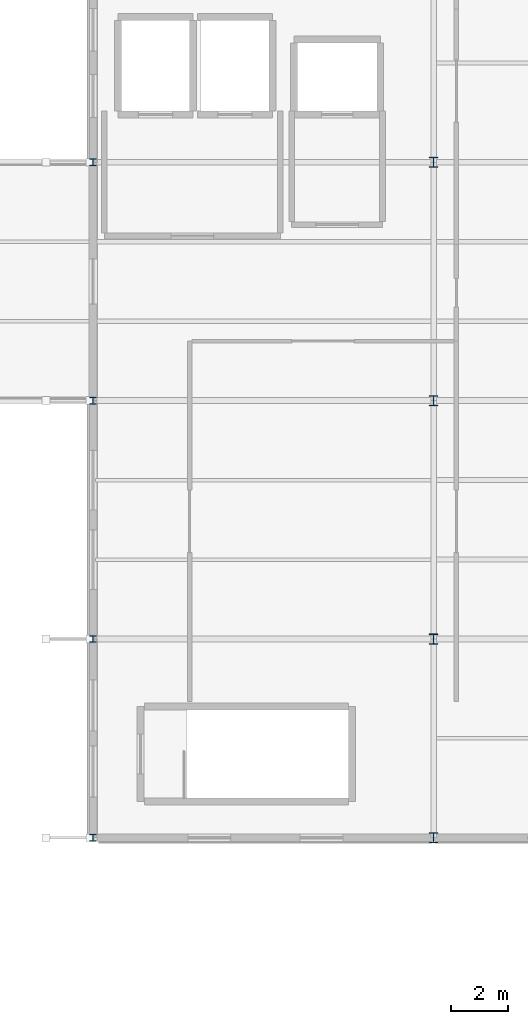
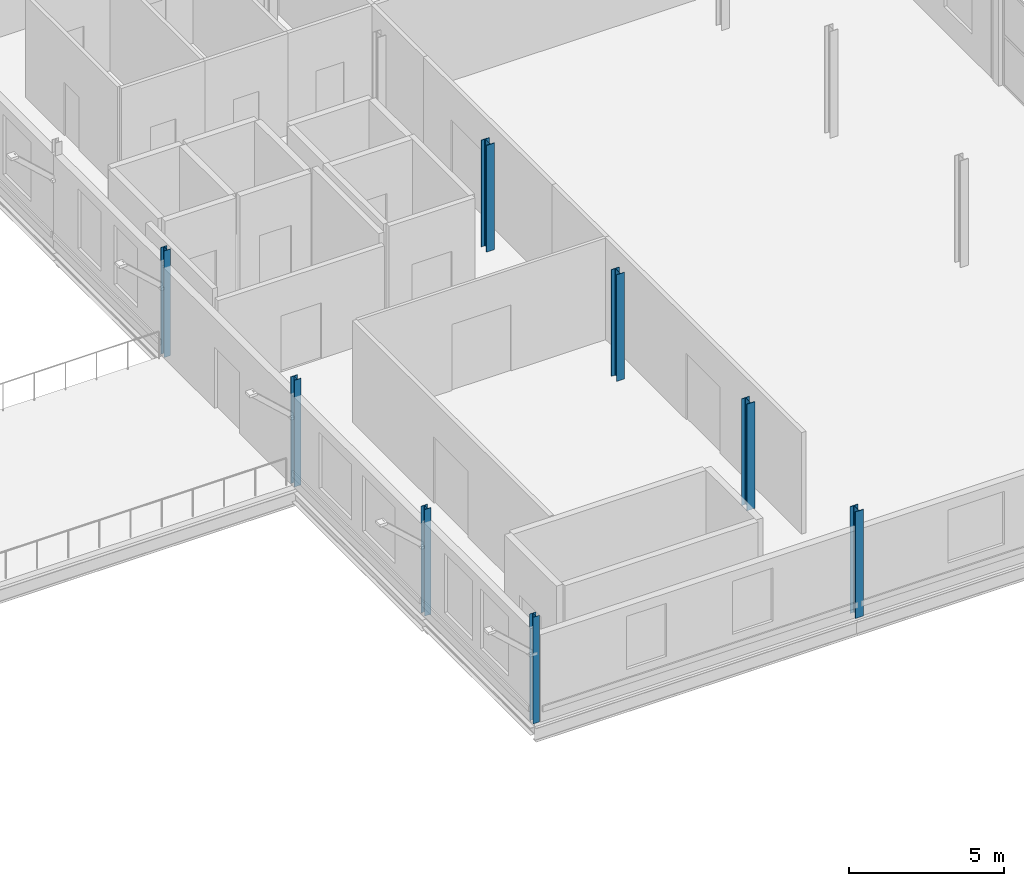
# One storey, part 5 of 25: 8 columns.
"""IFC4 building model written with IfcOpenShell, lengths in metres."""

from ifc_helpers import new_model, si_unit, direction, frame, origin, origin_2d, place, context, subcontext, project, spatial, i_section, extrude, material, material_profile, profile_set, type_object, element, save


model = new_model("IFC4")

# Units and contexts
model_context = context("Model", 3, precision=1e-05, world=origin(), true_north=direction((0.0, 1.0)))
body_context = subcontext(model_context, "Body", "Model", "MODEL_VIEW")
ifc_project = project(units=[si_unit("LENGTHUNIT", "METRE"), si_unit("AREAUNIT", "SQUARE_METRE"), si_unit("VOLUMEUNIT", "CUBIC_METRE"), si_unit("PLANEANGLEUNIT", "RADIAN"), si_unit("MASSUNIT", "GRAM", prefix="KILO")], contexts=[model_context])

# Site, building, storey
site_placement = place(None, origin())
site = spatial("IfcSite", under=ifc_project, at=site_placement, CompositionType="ELEMENT")
building_placement = place(site_placement, origin())
building = spatial("IfcBuilding", under=site, at=building_placement, Name="Vekula Escarpment Museum", CompositionType="ELEMENT")
storey_placement = place(building_placement, frame((0.0, 0.0, 26.39990234375)))
storey = spatial("IfcBuildingStorey", under=building, at=storey_placement, Name="L06", CompositionType="ELEMENT", Elevation=26.39990234375)

# Columns
ifc_material_1 = material(Name="Steel S355", Category="steel")
ifc_material_profile_1 = material_profile(ifc_material_1, i_section(OverallWidth=0.239990234375, OverallDepth=0.22998046875, WebThickness=0.007568359375, FlangeThickness=0.011962890625, FilletRadius=0.02099609375, at=origin_2d()), Name="HEA 240")
ifc_profile_set_1 = profile_set([ifc_material_profile_1], Name="Steel S355")
column_type_1 = type_object("IfcColumnType", Name="COL-S-HEA240", PredefinedType="COLUMN", material=ifc_profile_set_1)
for number, where, z_axis, x_axis, name in (
    (1, (167.0, 52.60009765625, 0.0), (0.0, 0.0, 1.0), (1.0, 0.0, 0.0), "Column L06 (167.0,52.6)"),
    (2, (167.0, 59.60009765625, 0.0), (0.0, 0.0, 1.0), (1.0, 0.0, 0.0), "Column L06 (167.0,59.6)"),
    (3, (167.0, 76.39990234375, 0.0), (0.0, 0.0, 1.0), (1.0, 0.0, 0.0), "Column L06 (167.0,76.4)"),
):
    element("IfcColumn", number, at=place(storey_placement, frame(where, z_axis=z_axis, x_axis=x_axis)), inside=storey, type_object=column_type_1, Name=name, PredefinedType="COLUMN", context=body_context, shape_type="SweptSolid", body=[
        extrude(i_section(OverallWidth=0.239990234375, OverallDepth=0.22998046875, WebThickness=0.007568359375, FlangeThickness=0.011962890625, FilletRadius=0.02099609375, at=origin_2d()), origin(), (0.0, 0.0, 1.0), 4.2001953125),
    ])
ifc_material_2 = material(Name="Steel S355", Category="steel")
ifc_material_profile_2 = material_profile(ifc_material_2, i_section(OverallWidth=0.239990234375, OverallDepth=0.239990234375, WebThickness=0.010009765625, FlangeThickness=0.01708984375, FilletRadius=0.02099609375, at=origin_2d()), Name="HEB 240")
ifc_profile_set_2 = profile_set([ifc_material_profile_2], Name="Steel S355")
column_type_2 = type_object("IfcColumnType", Name="COL-S-HEB240", PredefinedType="COLUMN", material=ifc_profile_set_2)
column_placement = place(storey_placement, frame((167.0, 68.0, 0.0), z_axis=(0.0, 0.0, 1.0), x_axis=(1.0, 0.0, 0.0)))
element("IfcColumn", 4, at=column_placement, inside=storey, type_object=column_type_2, Name="Column L06 (167.0,68.0)", PredefinedType="COLUMN", context=body_context, shape_type="SweptSolid", body=[
    extrude(i_section(OverallWidth=0.239990234375, OverallDepth=0.239990234375, WebThickness=0.010009765625, FlangeThickness=0.01708984375, FilletRadius=0.02099609375, at=origin_2d()), origin(), (0.0, 0.0, 1.0), 4.2001953125),
])
ifc_material_3 = material(Name="Steel S355", Category="steel")
ifc_material_profile_3 = material_profile(ifc_material_3, i_section(OverallWidth=0.300048828125, OverallDepth=0.360107421875, WebThickness=0.012451171875, FlangeThickness=0.0224609375, FilletRadius=0.027099609375, at=origin_2d()), Name="HEB 360")
ifc_profile_set_3 = profile_set([ifc_material_profile_3], Name="Steel S355")
column_type_3 = type_object("IfcColumnType", Name="COL-S-HEB360", PredefinedType="COLUMN", material=ifc_profile_set_3)
for number, where, z_axis, x_axis, name in (
    (5, (179.0, 52.60009765625, 0.0), (0.0, 0.0, 1.0), (1.0, 0.0, 0.0), "Column L06 (179.0,52.6)"),
    (6, (179.0, 59.60009765625, 0.0), (0.0, 0.0, 1.0), (1.0, 0.0, 0.0), "Column L06 (179.0,59.6)"),
    (7, (179.0, 68.0, 0.0), (0.0, 0.0, 1.0), (1.0, 0.0, 0.0), "Column L06 (179.0,68.0)"),
    (8, (179.0, 76.39990234375, 0.0), (0.0, 0.0, 1.0), (1.0, 0.0, 0.0), "Column L06 (179.0,76.4)"),
):
    element("IfcColumn", number, at=place(storey_placement, frame(where, z_axis=z_axis, x_axis=x_axis)), inside=storey, type_object=column_type_3, Name=name, PredefinedType="COLUMN", context=body_context, shape_type="SweptSolid", body=[
        extrude(i_section(OverallWidth=0.300048828125, OverallDepth=0.360107421875, WebThickness=0.012451171875, FlangeThickness=0.0224609375, FilletRadius=0.027099609375, at=origin_2d()), origin(), (0.0, 0.0, 1.0), 4.2001953125),
    ])

save(model, "model.ifc")
